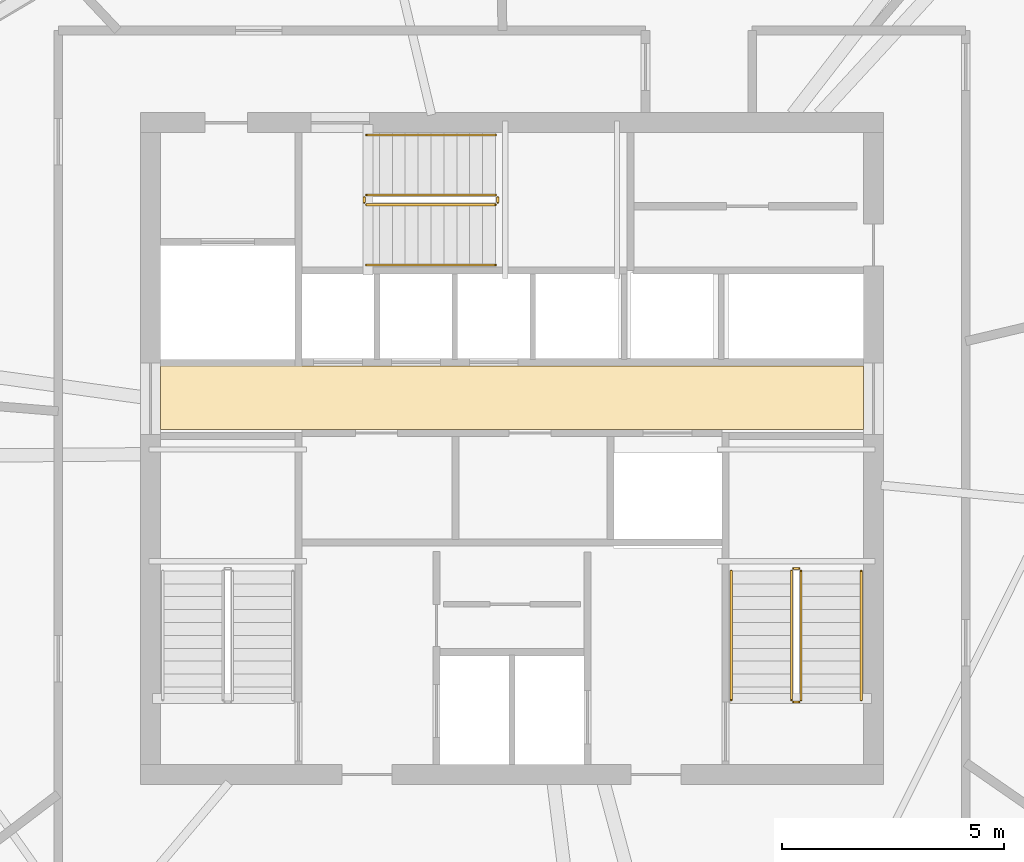
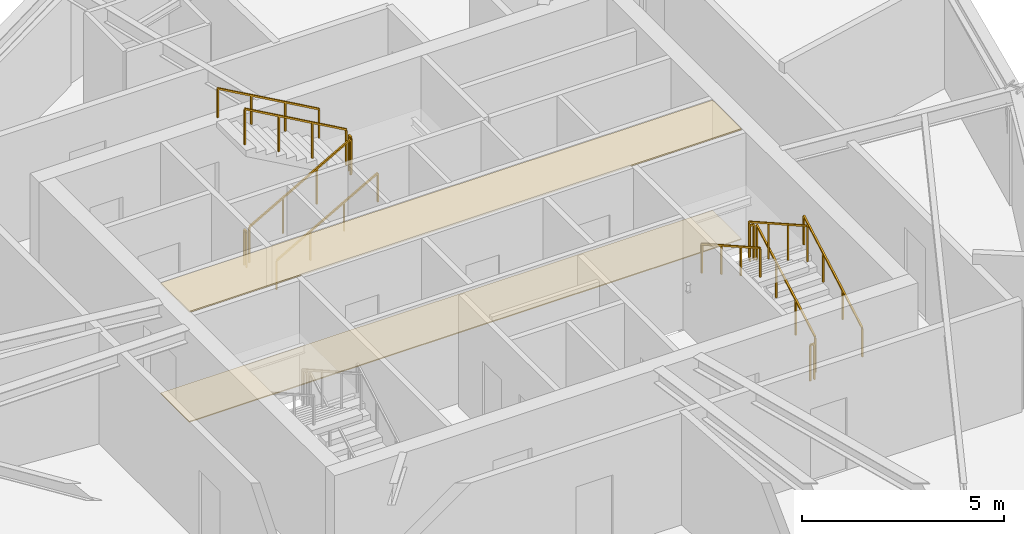
# One storey, part 13 of 14: 12 railings, 2 coverings.
"""IFC4 building model written with IfcOpenShell, lengths in metres."""

from ifc_helpers import new_model, si_unit, direction, frame, origin, origin_2d, place, context, subcontext, project, spatial, polyline, rectangle, outline, extrude, material, layer, layer_set, type_object, element, save


model = new_model("IFC4")

# Units and contexts
model_context = context("Model", 3, precision=1e-05, world=origin(), true_north=direction((0.0, 1.0)))
body_context = subcontext(model_context, "Body", "Model", "MODEL_VIEW")
ifc_project = project(units=[si_unit("LENGTHUNIT", "METRE"), si_unit("AREAUNIT", "SQUARE_METRE"), si_unit("VOLUMEUNIT", "CUBIC_METRE"), si_unit("PLANEANGLEUNIT", "RADIAN"), si_unit("MASSUNIT", "GRAM", prefix="KILO")], contexts=[model_context])

# Site, building, storey
site_placement = place(None, origin())
site = spatial("IfcSite", under=ifc_project, at=site_placement, CompositionType="ELEMENT")
building_placement = place(site_placement, origin())
building = spatial("IfcBuilding", under=site, at=building_placement, Name="Olszyna Solenne Hotel", CompositionType="ELEMENT")
storey_placement = place(building_placement, frame((0.0, 0.0, 234.5)))
storey = spatial("IfcBuildingStorey", under=building, at=storey_placement, Name="L62", CompositionType="ELEMENT", Elevation=234.5)

# Coverings
ifc_material_1 = material(Name="Mineral wool acoustic ceiling")
ifc_layer_1 = layer(ifc_material_1, 0.0400390625, Name="Mineral wool acoustic ceiling")
ifc_layer_set_1 = layer_set([ifc_layer_1], Name="Mineral wool acoustic ceiling")
covering_type_1 = type_object("IfcCoveringType", Name="CL-AC1", PredefinedType="CEILING", material=ifc_layer_set_1)
covering_1_placement = place(storey_placement, frame((0.0, 0.0, 3.320068359375)))
element("IfcCovering", 1, at=covering_1_placement, inside=storey, type_object=covering_type_1, Name="Lift lobby acoustic tile ceiling CL-L62-01", PredefinedType="CEILING", context=body_context, shape_type="SweptSolid", body=[
    extrude(outline(polyline([(30.10009765625, 27.030029296875), (45.89990234375, 27.030029296875), (45.89990234375, 28.4599609375), (30.10009765625, 28.4599609375), (30.10009765625, 27.030029296875)])), origin(), (0.0, 0.0, 1.0), 0.0400390625),
])
ifc_material_2 = material(Name="Ceramic floor tile")
ifc_layer_2 = layer(ifc_material_2, 0.030029296875, Name="Ceramic floor tile")
ifc_layer_set_2 = layer_set([ifc_layer_2], Name="Ceramic floor tile")
covering_type_2 = type_object("IfcCoveringType", Name="FL-TL1", PredefinedType="FLOORING", material=ifc_layer_set_2)
covering_2_placement = place(storey_placement, origin())
element("IfcCovering", 2, at=covering_2_placement, inside=storey, type_object=covering_type_2, Name="Lift lobby stoneware floor finish FLR-L62-01", PredefinedType="FLOORING", context=body_context, shape_type="SweptSolid", body=[
    extrude(outline(polyline([(30.10009765625, 27.030029296875), (45.89990234375, 27.030029296875), (45.89990234375, 28.4599609375), (30.10009765625, 28.4599609375), (30.10009765625, 27.030029296875)])), origin(), (0.0, 0.0, 1.0), 0.030029296875),
])

# Railings
ifc_material_3 = material(Name="Anodised bronze aluminium", Category="aluminium")
railing_type_1 = type_object("IfcRailingType", Name="GR-110", PredefinedType="BALUSTRADE", material=ifc_material_3)
railing_1_placement = place(storey_placement, frame((44.5, 20.949951171875, 0.16357421875)))
element("IfcRailing", 3, at=railing_1_placement, inside=storey, type_object=railing_type_1, Name="L62 ST2 stair guard 1", PredefinedType="BALUSTRADE", context=body_context, shape_type="SweptSolid", body=[
    extrude(rectangle(XDim=0.048095703125, YDim=0.048095703125, at=origin_2d()), frame((0.0, 0.0, 1.076171875), z_axis=(0.0, 0.870914908162, 0.491433843708), x_axis=(-1.0, 0.0, 0.0)), (0.0, 0.0, 1.0), 3.330078125),
    extrude(rectangle(XDim=0.0419921875, YDim=0.0419921875, at=origin_2d()), origin(), (0.0, 0.0, 1.0), 1.052001953125),
    extrude(rectangle(XDim=0.0419921875, YDim=0.0419921875, at=origin_2d()), frame((0.0, 0.966796875, 0.54541015625)), (0.0, 0.0, 1.0), 1.052001953125),
    extrude(rectangle(XDim=0.0419921875, YDim=0.0419921875, at=origin_2d()), frame((0.0, 1.933349609375, 1.091064453125)), (0.0, 0.0, 1.0), 1.052001953125),
    extrude(rectangle(XDim=0.0419921875, YDim=0.0419921875, at=origin_2d()), frame((0.0, 2.900146484375, 1.636474609375)), (0.0, 0.0, 1.0), 1.052001953125),
])
railing_2_placement = place(storey_placement, frame((44.449951171875, 23.89990234375, 1.800048828125)))
element("IfcRailing", 4, at=railing_2_placement, inside=storey, type_object=railing_type_1, Name="L62 ST2 stair guard 2", PredefinedType="BALUSTRADE", context=body_context, shape_type="SweptSolid", body=[
    extrude(rectangle(XDim=0.048095703125, YDim=0.048095703125, at=origin_2d()), frame((0.0, 0.0, 1.076171875), z_axis=(-1.0, 0.0, 0.0), x_axis=(0.0, -1.0, 0.0)), (0.0, 0.0, 1.0), 0.119873046875),
    extrude(rectangle(XDim=0.0419921875, YDim=0.0419921875, at=origin_2d()), origin(), (0.0, 0.0, 1.0), 1.052001953125),
    extrude(rectangle(XDim=0.0419921875, YDim=0.0419921875, at=origin_2d()), frame((-0.119873046875, 0.0, 0.0)), (0.0, 0.0, 1.0), 1.052001953125),
])
railing_3_placement = place(storey_placement, frame((44.280029296875, 23.85009765625, 1.963623046875)))
element("IfcRailing", 5, at=railing_3_placement, inside=storey, type_object=railing_type_1, Name="L62 ST2 stair guard 3", PredefinedType="BALUSTRADE", context=body_context, shape_type="SweptSolid", body=[
    extrude(rectangle(XDim=0.048095703125, YDim=0.048095703125, at=origin_2d()), frame((0.0, 0.0, 1.076171875), z_axis=(0.0, -0.870914908162, 0.491433843708), x_axis=(1.0, 0.0, 0.0)), (0.0, 0.0, 1.0), 3.330078125),
    extrude(rectangle(XDim=0.0419921875, YDim=0.0419921875, at=origin_2d()), origin(), (0.0, 0.0, 1.0), 1.052001953125),
    extrude(rectangle(XDim=0.0419921875, YDim=0.0419921875, at=origin_2d()), frame((0.0, -0.966796875, 0.54541015625)), (0.0, 0.0, 1.0), 1.052001953125),
    extrude(rectangle(XDim=0.0419921875, YDim=0.0419921875, at=origin_2d()), frame((0.0, -1.933349609375, 1.091064453125)), (0.0, 0.0, 1.0), 1.052001953125),
    extrude(rectangle(XDim=0.0419921875, YDim=0.0419921875, at=origin_2d()), frame((0.0, -2.900146484375, 1.636474609375)), (0.0, 0.0, 1.0), 1.052001953125),
])
railing_4_placement = place(storey_placement, frame((44.449951171875, 20.89990234375, 0.0)))
element("IfcRailing", 6, at=railing_4_placement, inside=storey, type_object=railing_type_1, Name="L62 ST2 stair guard 4", PredefinedType="BALUSTRADE", context=body_context, shape_type="SweptSolid", body=[
    extrude(rectangle(XDim=0.048095703125, YDim=0.048095703125, at=origin_2d()), frame((0.0, 0.0, 1.076171875), z_axis=(-1.0, 0.0, 0.0), x_axis=(0.0, -1.0, 0.0)), (0.0, 0.0, 1.0), 0.119873046875),
    extrude(rectangle(XDim=0.0419921875, YDim=0.0419921875, at=origin_2d()), origin(), (0.0, 0.0, 1.0), 1.052001953125),
    extrude(rectangle(XDim=0.0419921875, YDim=0.0419921875, at=origin_2d()), frame((-0.119873046875, 0.0, 0.0)), (0.0, 0.0, 1.0), 1.052001953125),
])
railing_5_placement = place(storey_placement, frame((34.72998046875, 32.080078125, 0.16357421875)))
element("IfcRailing", 7, at=railing_5_placement, inside=storey, type_object=railing_type_1, Name="L62 ST3 stair guard 1", PredefinedType="BALUSTRADE", context=body_context, shape_type="SweptSolid", body=[
    extrude(rectangle(XDim=0.048095703125, YDim=0.048095703125, at=origin_2d()), frame((0.0, 0.0, 1.076171875), z_axis=(0.870897200241, 0.0, 0.491465224214), x_axis=(0.0, 1.0, 0.0)), (0.0, 0.0, 1.0), 3.329833984375),
    extrude(rectangle(XDim=0.0419921875, YDim=0.0419921875, at=origin_2d()), origin(), (0.0, 0.0, 1.0), 1.052001953125),
    extrude(rectangle(XDim=0.0419921875, YDim=0.0419921875, at=origin_2d()), frame((0.966552734375, 0.0, 0.54541015625)), (0.0, 0.0, 1.0), 1.052001953125),
    extrude(rectangle(XDim=0.0419921875, YDim=0.0419921875, at=origin_2d()), frame((1.933349609375, 0.0, 1.091064453125)), (0.0, 0.0, 1.0), 1.052001953125),
    extrude(rectangle(XDim=0.0419921875, YDim=0.0419921875, at=origin_2d()), frame((2.89990234375, 0.0, 1.636474609375)), (0.0, 0.0, 1.0), 1.052001953125),
])
railing_6_placement = place(storey_placement, frame((37.679931640625, 32.1298828125, 1.800048828125)))
element("IfcRailing", 8, at=railing_6_placement, inside=storey, type_object=railing_type_1, Name="L62 ST3 stair guard 2", PredefinedType="BALUSTRADE", context=body_context, shape_type="SweptSolid", body=[
    extrude(rectangle(XDim=0.048095703125, YDim=0.048095703125, at=origin_2d()), frame((0.0, 0.0, 1.076171875), z_axis=(0.0, 1.0, 0.0), x_axis=(-1.0, 0.0, 0.0)), (0.0, 0.0, 1.0), 0.1201171875),
    extrude(rectangle(XDim=0.0419921875, YDim=0.0419921875, at=origin_2d()), origin(), (0.0, 0.0, 1.0), 1.052001953125),
    extrude(rectangle(XDim=0.0419921875, YDim=0.0419921875, at=origin_2d()), frame((0.0, 0.1201171875, 0.0)), (0.0, 0.0, 1.0), 1.052001953125),
])
railing_7_placement = place(storey_placement, frame((37.6298828125, 32.300048828125, 1.963623046875)))
element("IfcRailing", 9, at=railing_7_placement, inside=storey, type_object=railing_type_1, Name="L62 ST3 stair guard 3", PredefinedType="BALUSTRADE", context=body_context, shape_type="SweptSolid", body=[
    extrude(rectangle(XDim=0.048095703125, YDim=0.048095703125, at=origin_2d()), frame((0.0, 0.0, 1.076171875), z_axis=(-0.870897200241, 0.0, 0.491465224214), x_axis=(0.0, -1.0, 0.0)), (0.0, 0.0, 1.0), 3.329833984375),
    extrude(rectangle(XDim=0.0419921875, YDim=0.0419921875, at=origin_2d()), origin(), (0.0, 0.0, 1.0), 1.052001953125),
    extrude(rectangle(XDim=0.0419921875, YDim=0.0419921875, at=origin_2d()), frame((-0.966552734375, 0.0, 0.54541015625)), (0.0, 0.0, 1.0), 1.052001953125),
    extrude(rectangle(XDim=0.0419921875, YDim=0.0419921875, at=origin_2d()), frame((-1.933349609375, 0.0, 1.091064453125)), (0.0, 0.0, 1.0), 1.052001953125),
    extrude(rectangle(XDim=0.0419921875, YDim=0.0419921875, at=origin_2d()), frame((-2.89990234375, 0.0, 1.636474609375)), (0.0, 0.0, 1.0), 1.052001953125),
])
railing_8_placement = place(storey_placement, frame((34.679931640625, 32.1298828125, 0.0)))
element("IfcRailing", 10, at=railing_8_placement, inside=storey, type_object=railing_type_1, Name="L62 ST3 stair guard 4", PredefinedType="BALUSTRADE", context=body_context, shape_type="SweptSolid", body=[
    extrude(rectangle(XDim=0.048095703125, YDim=0.048095703125, at=origin_2d()), frame((0.0, 0.0, 1.076171875), z_axis=(0.0, 1.0, 0.0), x_axis=(-1.0, 0.0, 0.0)), (0.0, 0.0, 1.0), 0.1201171875),
    extrude(rectangle(XDim=0.0419921875, YDim=0.0419921875, at=origin_2d()), origin(), (0.0, 0.0, 1.0), 1.052001953125),
    extrude(rectangle(XDim=0.0419921875, YDim=0.0419921875, at=origin_2d()), frame((0.0, 0.1201171875, 0.0)), (0.0, 0.0, 1.0), 1.052001953125),
])
ifc_material_4 = material(Name="Steel S355J2", Category="steel")
railing_type_2 = type_object("IfcRailingType", Name="HR-090", PredefinedType="HANDRAIL", material=ifc_material_4)
railing_9_placement = place(storey_placement, frame((45.85009765625, 20.949951171875, 0.16357421875)))
element("IfcRailing", 11, at=railing_9_placement, inside=storey, type_object=railing_type_2, Name="L62 ST2 stair handrail 1", PredefinedType="HANDRAIL", context=body_context, shape_type="SweptSolid", body=[
    extrude(rectangle(XDim=0.048095703125, YDim=0.048095703125, at=origin_2d()), frame((0.0, 0.0, 0.8759765625), z_axis=(0.0, 0.870914908162, 0.491433843708), x_axis=(-1.0, 0.0, 0.0)), (0.0, 0.0, 1.0), 3.330078125),
    extrude(rectangle(XDim=0.0419921875, YDim=0.0419921875, at=origin_2d()), origin(), (0.0, 0.0, 1.0), 0.851806640625),
    extrude(rectangle(XDim=0.0419921875, YDim=0.0419921875, at=origin_2d()), frame((0.0, 0.966796875, 0.54541015625)), (0.0, 0.0, 1.0), 0.851806640625),
    extrude(rectangle(XDim=0.0419921875, YDim=0.0419921875, at=origin_2d()), frame((0.0, 1.933349609375, 1.091064453125)), (0.0, 0.0, 1.0), 0.851806640625),
    extrude(rectangle(XDim=0.0419921875, YDim=0.0419921875, at=origin_2d()), frame((0.0, 2.900146484375, 1.636474609375)), (0.0, 0.0, 1.0), 0.851806640625),
])
railing_10_placement = place(storey_placement, frame((42.929931640625, 23.85009765625, 1.963623046875)))
element("IfcRailing", 12, at=railing_10_placement, inside=storey, type_object=railing_type_2, Name="L62 ST2 stair handrail 2", PredefinedType="HANDRAIL", context=body_context, shape_type="SweptSolid", body=[
    extrude(rectangle(XDim=0.048095703125, YDim=0.048095703125, at=origin_2d()), frame((0.0, 0.0, 0.8759765625), z_axis=(0.0, -0.870914908162, 0.491433843708), x_axis=(1.0, 0.0, 0.0)), (0.0, 0.0, 1.0), 3.330078125),
    extrude(rectangle(XDim=0.0419921875, YDim=0.0419921875, at=origin_2d()), origin(), (0.0, 0.0, 1.0), 0.851806640625),
    extrude(rectangle(XDim=0.0419921875, YDim=0.0419921875, at=origin_2d()), frame((0.0, -0.966796875, 0.54541015625)), (0.0, 0.0, 1.0), 0.851806640625),
    extrude(rectangle(XDim=0.0419921875, YDim=0.0419921875, at=origin_2d()), frame((0.0, -1.933349609375, 1.091064453125)), (0.0, 0.0, 1.0), 0.851806640625),
    extrude(rectangle(XDim=0.0419921875, YDim=0.0419921875, at=origin_2d()), frame((0.0, -2.900146484375, 1.636474609375)), (0.0, 0.0, 1.0), 0.851806640625),
])
railing_11_placement = place(storey_placement, frame((34.72998046875, 30.72998046875, 0.16357421875)))
element("IfcRailing", 13, at=railing_11_placement, inside=storey, type_object=railing_type_2, Name="L62 ST3 stair handrail 1", PredefinedType="HANDRAIL", context=body_context, shape_type="SweptSolid", body=[
    extrude(rectangle(XDim=0.048095703125, YDim=0.048095703125, at=origin_2d()), frame((0.0, 0.0, 0.8759765625), z_axis=(0.870897200241, 0.0, 0.491465224214), x_axis=(0.0, 1.0, 0.0)), (0.0, 0.0, 1.0), 3.329833984375),
    extrude(rectangle(XDim=0.0419921875, YDim=0.0419921875, at=origin_2d()), origin(), (0.0, 0.0, 1.0), 0.851806640625),
    extrude(rectangle(XDim=0.0419921875, YDim=0.0419921875, at=origin_2d()), frame((0.966552734375, 0.0, 0.54541015625)), (0.0, 0.0, 1.0), 0.851806640625),
    extrude(rectangle(XDim=0.0419921875, YDim=0.0419921875, at=origin_2d()), frame((1.933349609375, 0.0, 1.091064453125)), (0.0, 0.0, 1.0), 0.851806640625),
    extrude(rectangle(XDim=0.0419921875, YDim=0.0419921875, at=origin_2d()), frame((2.89990234375, 0.0, 1.636474609375)), (0.0, 0.0, 1.0), 0.851806640625),
])
railing_12_placement = place(storey_placement, frame((37.6298828125, 33.64990234375, 1.963623046875)))
element("IfcRailing", 14, at=railing_12_placement, inside=storey, type_object=railing_type_2, Name="L62 ST3 stair handrail 2", PredefinedType="HANDRAIL", context=body_context, shape_type="SweptSolid", body=[
    extrude(rectangle(XDim=0.048095703125, YDim=0.048095703125, at=origin_2d()), frame((0.0, 0.0, 0.8759765625), z_axis=(-0.870897200241, 0.0, 0.491465224214), x_axis=(0.0, -1.0, 0.0)), (0.0, 0.0, 1.0), 3.329833984375),
    extrude(rectangle(XDim=0.0419921875, YDim=0.0419921875, at=origin_2d()), origin(), (0.0, 0.0, 1.0), 0.851806640625),
    extrude(rectangle(XDim=0.0419921875, YDim=0.0419921875, at=origin_2d()), frame((-0.966552734375, 0.0, 0.54541015625)), (0.0, 0.0, 1.0), 0.851806640625),
    extrude(rectangle(XDim=0.0419921875, YDim=0.0419921875, at=origin_2d()), frame((-1.933349609375, 0.0, 1.091064453125)), (0.0, 0.0, 1.0), 0.851806640625),
    extrude(rectangle(XDim=0.0419921875, YDim=0.0419921875, at=origin_2d()), frame((-2.89990234375, 0.0, 1.636474609375)), (0.0, 0.0, 1.0), 0.851806640625),
])

save(model, "model.ifc")
